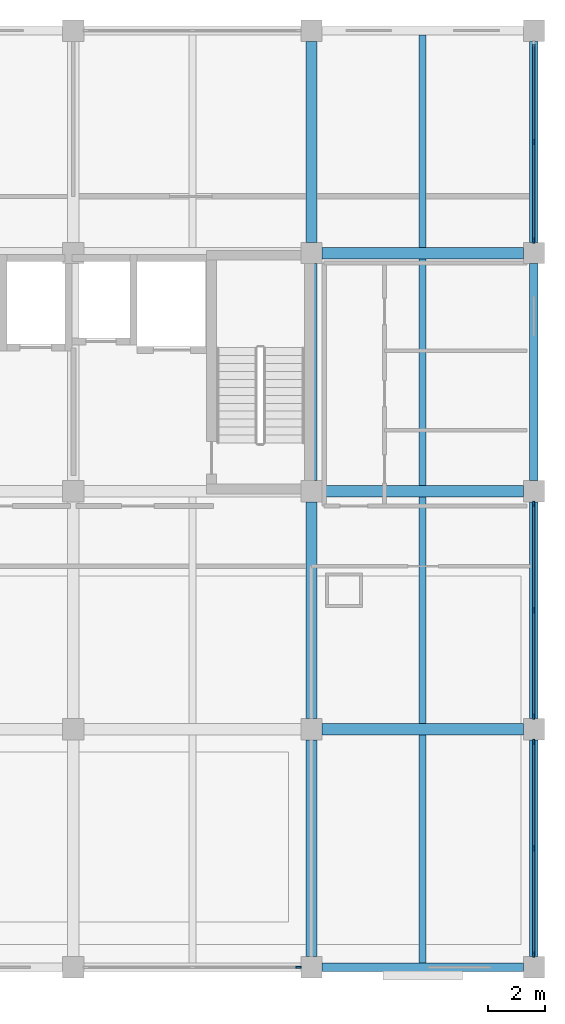
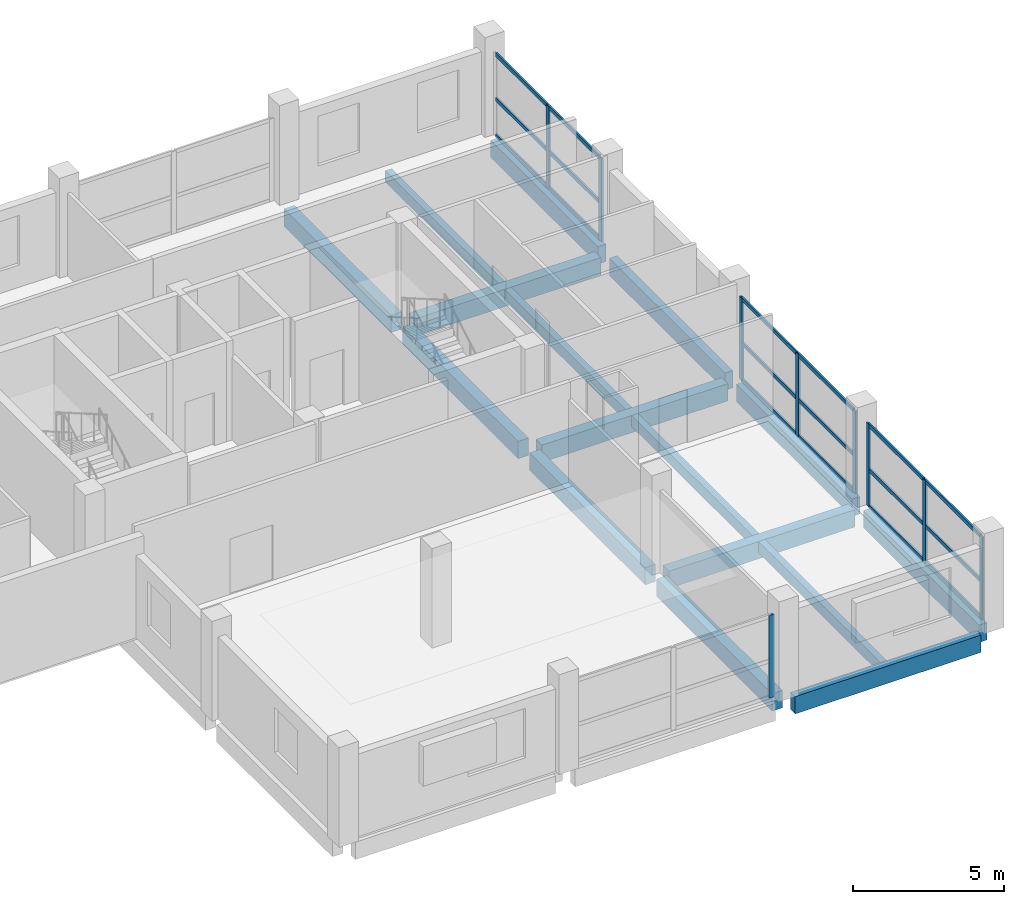
# One storey, part 4 of 9: 27 members, 16 beams, 4 elements without a shape of their own.
"""IFC4 building model written with IfcOpenShell, lengths in metres."""

from ifc_helpers import new_model, si_unit, direction, frame, origin, origin_2d, place, context, subcontext, project, spatial, rectangle, extrude, material, material_profile, profile_set, type_object, element, aggregate, save


model = new_model("IFC4")

# Units and contexts
model_context = context("Model", 3, precision=1e-05, world=origin(), true_north=direction((0.0, 1.0)))
body_context = subcontext(model_context, "Body", "Model", "MODEL_VIEW")
ifc_project = project(units=[si_unit("LENGTHUNIT", "METRE"), si_unit("AREAUNIT", "SQUARE_METRE"), si_unit("VOLUMEUNIT", "CUBIC_METRE"), si_unit("PLANEANGLEUNIT", "RADIAN"), si_unit("MASSUNIT", "GRAM", prefix="KILO")], contexts=[model_context])

# Site, building, storey
site_placement = place(None, origin())
site = spatial("IfcSite", under=ifc_project, at=site_placement, CompositionType="ELEMENT")
building_placement = place(site_placement, origin())
building = spatial("IfcBuilding", under=site, at=building_placement, Name="Brinegate Botanical Conservatory", CompositionType="ELEMENT")
storey_placement = place(building_placement, frame((0.0, 0.0, 48.60009765625)))
storey = spatial("IfcBuildingStorey", under=building, at=storey_placement, Name="L12", CompositionType="ELEMENT", Elevation=48.60009765625)

# Beams
ifc_material_1 = material(Name="Concrete C40/50", Category="concrete")
ifc_material_profile_1 = material_profile(ifc_material_1, rectangle(XDim=0.39990234375, YDim=0.699951171875, at=origin_2d()), Name="RC BM 400x700")
ifc_profile_set_1 = profile_set([ifc_material_profile_1], Name="Concrete C40/50")
beam_type_1 = type_object("IfcBeamType", Name="Beam_BM-T2", PredefinedType="BEAM", material=ifc_profile_set_1)
for number, where, z_axis, x_axis, name in (
    (1, (155.97509765625, 86.800048828125, -0.5400390625), (1.0, 0.0, 0.0), (0.0, 1.0, 0.0), "Beam BM-T2 L12 L:20-21"),
    (2, (155.97509765625, 95.199951171875, -0.5400390625), (1.0, 0.0, 0.0), (0.0, 1.0, 0.0), "Beam BM-T2 L12 M:20-21"),
    (3, (155.97509765625, 103.60009765625, -0.5400390625), (1.0, 0.0, 0.0), (0.0, 1.0, 0.0), "Beam BM-T2 L12 N:20-21"),
):
    element("IfcBeam", number, at=place(storey_placement, frame(where, z_axis=z_axis, x_axis=x_axis)), inside=storey, type_object=beam_type_1, Name=name, PredefinedType="BEAM", context=body_context, shape_type="SweptSolid", body=[
        extrude(rectangle(XDim=0.39990234375, YDim=0.699951171875, at=origin_2d()), origin(), (0.0, 0.0, 1.0), 7.099853515625),
    ])
beam_1_placement = place(storey_placement, frame((155.60009765625, 78.77490234375, -0.5400390625), z_axis=(0.0, 1.0, 0.0), x_axis=(-1.0, 0.0, 0.0)))
element("IfcBeam", 4, at=beam_1_placement, inside=storey, type_object=beam_type_1, Name="Beam BM-T2 L12 20:K-L", PredefinedType="BEAM", context=body_context, shape_type="SweptSolid", body=[
    extrude(rectangle(XDim=0.39990234375, YDim=0.699951171875, at=origin_2d()), origin(), (0.0, 0.0, 1.0), 7.650146484375),
])
beam_2_placement = place(storey_placement, frame((155.60009765625, 87.175048828125, -0.5400390625), z_axis=(0.0, 1.0, 0.0), x_axis=(-1.0, 0.0, 0.0)))
element("IfcBeam", 5, at=beam_2_placement, inside=storey, type_object=beam_type_1, Name="Beam BM-T2 L12 20:L-M", PredefinedType="BEAM", context=body_context, shape_type="SweptSolid", body=[
    extrude(rectangle(XDim=0.39990234375, YDim=0.699951171875, at=origin_2d()), origin(), (0.0, 0.0, 1.0), 7.64990234375),
])
beam_3_placement = place(storey_placement, frame((155.60009765625, 95.574951171875, -0.5400390625), z_axis=(0.0, 1.0, 0.0), x_axis=(-1.0, 0.0, 0.0)))
element("IfcBeam", 6, at=beam_3_placement, inside=storey, type_object=beam_type_1, Name="Beam BM-T2 L12 20:M-N", PredefinedType="BEAM", context=body_context, shape_type="SweptSolid", body=[
    extrude(rectangle(XDim=0.39990234375, YDim=0.699951171875, at=origin_2d()), origin(), (0.0, 0.0, 1.0), 7.650146484375),
])
beam_4_placement = place(storey_placement, frame((155.60009765625, 103.97509765625, -0.5400390625), z_axis=(0.0, 1.0, 0.0), x_axis=(-1.0, 0.0, 0.0)))
element("IfcBeam", 7, at=beam_4_placement, inside=storey, type_object=beam_type_1, Name="Beam BM-T2 L12 20:N-P", PredefinedType="BEAM", context=body_context, shape_type="SweptSolid", body=[
    extrude(rectangle(XDim=0.39990234375, YDim=0.699951171875, at=origin_2d()), origin(), (0.0, 0.0, 1.0), 7.099853515625),
])
ifc_material_profile_2 = material_profile(ifc_material_1, rectangle(XDim=0.25, YDim=0.449951171875, at=origin_2d()), Name="RC JST 250x450")
ifc_profile_set_2 = profile_set([ifc_material_profile_2], Name="Concrete C40/50")
beam_type_2 = type_object("IfcBeamType", Name="Beam_JS-C3", PredefinedType="JOIST", material=ifc_profile_set_2)
beam_5_placement = place(storey_placement, frame((159.52490234375, 78.550048828125, -0.4150390625), z_axis=(0.0, 1.0, 0.0), x_axis=(-1.0, 0.0, 0.0)))
element("IfcBeam", 8, at=beam_5_placement, inside=storey, type_object=beam_type_2, Name="Floor joist JS-C3 L12 bay 20.10", PredefinedType="JOIST", context=body_context, shape_type="SweptSolid", body=[
    extrude(rectangle(XDim=0.25, YDim=0.449951171875, at=origin_2d()), origin(), (0.0, 0.0, 1.0), 8.050048828125),
])
for number, where, z_axis, x_axis, name in (
    (9, (159.52490234375, 87.0, -0.4150390625), (0.0, 1.0, 0.0), (-1.0, 0.0, 0.0), "Floor joist JS-C3 L12 bay 20.11"),
    (10, (159.52490234375, 95.39990234375, -0.4150390625), (0.0, 1.0, 0.0), (-1.0, 0.0, 0.0), "Floor joist JS-C3 L12 bay 20.12"),
):
    element("IfcBeam", number, at=place(storey_placement, frame(where, z_axis=z_axis, x_axis=x_axis)), inside=storey, type_object=beam_type_2, Name=name, PredefinedType="JOIST", context=body_context, shape_type="SweptSolid", body=[
        extrude(rectangle(XDim=0.25, YDim=0.449951171875, at=origin_2d()), origin(), (0.0, 0.0, 1.0), 8.0),
    ])
beam_6_placement = place(storey_placement, frame((159.52490234375, 103.800048828125, -0.4150390625), z_axis=(0.0, 1.0, 0.0), x_axis=(-1.0, 0.0, 0.0)))
element("IfcBeam", 11, at=beam_6_placement, inside=storey, type_object=beam_type_2, Name="Floor joist JS-C3 L12 bay 20.13", PredefinedType="JOIST", context=body_context, shape_type="SweptSolid", body=[
    extrude(rectangle(XDim=0.25, YDim=0.449951171875, at=origin_2d()), origin(), (0.0, 0.0, 1.0), 7.5),
])
ifc_material_profile_3 = material_profile(ifc_material_1, rectangle(XDim=0.300048828125, YDim=0.699951171875, at=origin_2d()), Name="RC SPN 300x700")
ifc_profile_set_3 = profile_set([ifc_material_profile_3], Name="Concrete C40/50")
beam_type_3 = type_object("IfcBeamType", Name="Beam_SP-02", PredefinedType="SPANDREL", material=ifc_profile_set_3)
beam_7_placement = place(storey_placement, frame((155.97509765625, 78.39990234375, -0.5400390625), z_axis=(1.0, 0.0, 0.0), x_axis=(0.0, 1.0, 0.0)))
element("IfcBeam", 12, at=beam_7_placement, inside=storey, type_object=beam_type_3, Name="Beam SP-02 L12 K:20-21", PredefinedType="SPANDREL", context=body_context, shape_type="SweptSolid", body=[
    extrude(rectangle(XDim=0.300048828125, YDim=0.699951171875, at=origin_2d()), origin(), (0.0, 0.0, 1.0), 7.099853515625),
])
beam_8_placement = place(storey_placement, frame((163.449951171875, 78.77490234375, -0.5400390625), z_axis=(0.0, 1.0, 0.0), x_axis=(-1.0, 0.0, 0.0)))
element("IfcBeam", 13, at=beam_8_placement, inside=storey, type_object=beam_type_3, Name="Beam SP-02 L12 21:K-L", PredefinedType="SPANDREL", context=body_context, shape_type="SweptSolid", body=[
    extrude(rectangle(XDim=0.300048828125, YDim=0.699951171875, at=origin_2d()), origin(), (0.0, 0.0, 1.0), 7.650146484375),
])
beam_9_placement = place(storey_placement, frame((163.449951171875, 87.175048828125, -0.5400390625), z_axis=(0.0, 1.0, 0.0), x_axis=(-1.0, 0.0, 0.0)))
element("IfcBeam", 14, at=beam_9_placement, inside=storey, type_object=beam_type_3, Name="Beam SP-02 L12 21:L-M", PredefinedType="SPANDREL", context=body_context, shape_type="SweptSolid", body=[
    extrude(rectangle(XDim=0.300048828125, YDim=0.699951171875, at=origin_2d()), origin(), (0.0, 0.0, 1.0), 7.64990234375),
])
beam_10_placement = place(storey_placement, frame((163.449951171875, 95.574951171875, -0.5400390625), z_axis=(0.0, 1.0, 0.0), x_axis=(-1.0, 0.0, 0.0)))
element("IfcBeam", 15, at=beam_10_placement, inside=storey, type_object=beam_type_3, Name="Beam SP-02 L12 21:M-N", PredefinedType="SPANDREL", context=body_context, shape_type="SweptSolid", body=[
    extrude(rectangle(XDim=0.300048828125, YDim=0.699951171875, at=origin_2d()), origin(), (0.0, 0.0, 1.0), 7.650146484375),
])
beam_11_placement = place(storey_placement, frame((163.449951171875, 103.97509765625, -0.5400390625), z_axis=(0.0, 1.0, 0.0), x_axis=(-1.0, 0.0, 0.0)))
element("IfcBeam", 16, at=beam_11_placement, inside=storey, type_object=beam_type_3, Name="Beam SP-02 L12 21:N-P", PredefinedType="SPANDREL", context=body_context, shape_type="SweptSolid", body=[
    extrude(rectangle(XDim=0.300048828125, YDim=0.699951171875, at=origin_2d()), origin(), (0.0, 0.0, 1.0), 7.099853515625),
])

# Curtain wall, member
ifc_material_2 = material(Name="Thermally broken anodised aluminium AW-6063-T6", Category="aluminium")
curtain_wall_type = type_object("IfcCurtainWallType", Name="CW_CW-TW1", PredefinedType="USERDEFINED", material=ifc_material_2)
curtain_wall_1_placement = place(storey_placement, origin())
curtain_wall_1 = element("IfcCurtainWall", 17, at=curtain_wall_1_placement, inside=storey, type_object=curtain_wall_type, Name="Tower south curtain wall L12.2", ObjectType="FACTORY CURTAIN WALL", PredefinedType="USERDEFINED")
ifc_material_profile_4 = material_profile(ifc_material_2, rectangle(XDim=0.070068359375, YDim=0.199951171875, at=origin_2d()), Name="ALUM MULLION 70x200")
ifc_profile_set_4 = profile_set([ifc_material_profile_4], Name="Thermally broken anodised aluminium AW-6063-T6")
member_type_1 = type_object("IfcMemberType", Name="Member_ML-03", PredefinedType="MULLION", material=ifc_profile_set_4)
member_1_placement = place(storey_placement, frame((155.14990234375, 78.39990234375, 0.0), z_axis=(0.0, 0.0, 1.0), x_axis=(0.0, -1.0, 0.0)))
member_1 = element("IfcMember", 18, at=member_1_placement, type_object=member_type_1, Name="CW-TW1 mullion 1", PredefinedType="MULLION", context=body_context, shape_type="SweptSolid", body=[
    extrude(rectangle(XDim=0.070068359375, YDim=0.199951171875, at=origin_2d()), origin(), (0.0, 0.0, 1.0), 3.329833984375),
])
aggregate(curtain_wall_1, [member_1])

# Curtain wall, members
curtain_wall_2_placement = place(storey_placement, origin())
curtain_wall_2 = element("IfcCurtainWall", 19, at=curtain_wall_2_placement, inside=storey, type_object=curtain_wall_type, Name="Tower east curtain wall L12.1", ObjectType="FACTORY CURTAIN WALL", PredefinedType="USERDEFINED")
member_2_placement = place(storey_placement, frame((163.449951171875, 86.35009765625, 0.0), z_axis=(0.0, 0.0, 1.0), x_axis=(1.0, 0.0, 0.0)))
member_2 = element("IfcMember", 20, at=member_2_placement, type_object=member_type_1, Name="CW-TW1 mullion 1", PredefinedType="MULLION", context=body_context, shape_type="SweptSolid", body=[
    extrude(rectangle(XDim=0.070068359375, YDim=0.199951171875, at=origin_2d()), origin(), (0.0, 0.0, 1.0), 3.329833984375),
])
member_3_placement = place(storey_placement, frame((163.449951171875, 82.60009765625, 0.0), z_axis=(0.0, 0.0, 1.0), x_axis=(1.0, 0.0, 0.0)))
member_3 = element("IfcMember", 21, at=member_3_placement, type_object=member_type_1, Name="CW-TW1 mullion 2", PredefinedType="MULLION", context=body_context, shape_type="SweptSolid", body=[
    extrude(rectangle(XDim=0.070068359375, YDim=0.199951171875, at=origin_2d()), origin(), (0.0, 0.0, 1.0), 3.329833984375),
])
member_4_placement = place(storey_placement, frame((163.449951171875, 78.85009765625, 0.0), z_axis=(0.0, 0.0, 1.0), x_axis=(1.0, 0.0, 0.0)))
member_4 = element("IfcMember", 22, at=member_4_placement, type_object=member_type_1, Name="CW-TW1 mullion 3", PredefinedType="MULLION", context=body_context, shape_type="SweptSolid", body=[
    extrude(rectangle(XDim=0.070068359375, YDim=0.199951171875, at=origin_2d()), origin(), (0.0, 0.0, 1.0), 3.329833984375),
])

curtain_wall_3_placement = place(storey_placement, origin())
curtain_wall_3 = element("IfcCurtainWall", 23, at=curtain_wall_3_placement, inside=storey, type_object=curtain_wall_type, Name="Tower east curtain wall L12.2", ObjectType="FACTORY CURTAIN WALL", PredefinedType="USERDEFINED")
member_5_placement = place(storey_placement, frame((163.449951171875, 94.75, 0.0), z_axis=(0.0, 0.0, 1.0), x_axis=(1.0, 0.0, 0.0)))
member_5 = element("IfcMember", 24, at=member_5_placement, type_object=member_type_1, Name="CW-TW1 mullion 1", PredefinedType="MULLION", context=body_context, shape_type="SweptSolid", body=[
    extrude(rectangle(XDim=0.070068359375, YDim=0.199951171875, at=origin_2d()), origin(), (0.0, 0.0, 1.0), 3.329833984375),
])
member_6_placement = place(storey_placement, frame((163.449951171875, 91.0, 0.0), z_axis=(0.0, 0.0, 1.0), x_axis=(1.0, 0.0, 0.0)))
member_6 = element("IfcMember", 25, at=member_6_placement, type_object=member_type_1, Name="CW-TW1 mullion 2", PredefinedType="MULLION", context=body_context, shape_type="SweptSolid", body=[
    extrude(rectangle(XDim=0.070068359375, YDim=0.199951171875, at=origin_2d()), origin(), (0.0, 0.0, 1.0), 3.329833984375),
])
member_7_placement = place(storey_placement, frame((163.449951171875, 87.25, 0.0), z_axis=(0.0, 0.0, 1.0), x_axis=(1.0, 0.0, 0.0)))
member_7 = element("IfcMember", 26, at=member_7_placement, type_object=member_type_1, Name="CW-TW1 mullion 3", PredefinedType="MULLION", context=body_context, shape_type="SweptSolid", body=[
    extrude(rectangle(XDim=0.070068359375, YDim=0.199951171875, at=origin_2d()), origin(), (0.0, 0.0, 1.0), 3.329833984375),
])

curtain_wall_4_placement = place(storey_placement, origin())
curtain_wall_4 = element("IfcCurtainWall", 27, at=curtain_wall_4_placement, inside=storey, type_object=curtain_wall_type, Name="Tower east curtain wall L12.4", ObjectType="FACTORY CURTAIN WALL", PredefinedType="USERDEFINED")
member_8_placement = place(storey_placement, frame((163.449951171875, 107.52490234375, 0.0), z_axis=(0.0, 0.0, 1.0), x_axis=(1.0, 0.0, 0.0)))
member_8 = element("IfcMember", 28, at=member_8_placement, type_object=member_type_1, Name="CW-TW1 mullion 2", PredefinedType="MULLION", context=body_context, shape_type="SweptSolid", body=[
    extrude(rectangle(XDim=0.070068359375, YDim=0.199951171875, at=origin_2d()), origin(), (0.0, 0.0, 1.0), 3.329833984375),
])
member_9_placement = place(storey_placement, frame((163.449951171875, 104.050048828125, 0.0), z_axis=(0.0, 0.0, 1.0), x_axis=(1.0, 0.0, 0.0)))
member_9 = element("IfcMember", 29, at=member_9_placement, type_object=member_type_1, Name="CW-TW1 mullion 3", PredefinedType="MULLION", context=body_context, shape_type="SweptSolid", body=[
    extrude(rectangle(XDim=0.070068359375, YDim=0.199951171875, at=origin_2d()), origin(), (0.0, 0.0, 1.0), 3.329833984375),
])

# Member
ifc_material_profile_5 = material_profile(ifc_material_2, rectangle(XDim=0.070068359375, YDim=0.14990234375, at=origin_2d()), Name="ALUM TRANSOM 70x150")
ifc_profile_set_5 = profile_set([ifc_material_profile_5], Name="Thermally broken anodised aluminium AW-6063-T6")
member_type_2 = type_object("IfcMemberType", Name="Member_TR-03", PredefinedType="USERDEFINED", material=ifc_profile_set_5)
member_10_placement = place(storey_placement, frame((163.449951171875, 86.31494140625, 0.034912109375), z_axis=(0.0, -1.0, 0.0), x_axis=(1.0, 0.0, 0.0)))
member_10 = element("IfcMember", 30, at=member_10_placement, type_object=member_type_2, Name="CW-TW1 transom 1.1", ObjectType="TRANSOM", PredefinedType="USERDEFINED", context=body_context, shape_type="SweptSolid", body=[
    extrude(rectangle(XDim=0.070068359375, YDim=0.14990234375, at=origin_2d()), origin(), (0.0, 0.0, 1.0), 3.679931640625),
])

member_11_placement = place(storey_placement, frame((163.449951171875, 86.31494140625, 1.4990234375), z_axis=(0.0, -1.0, 0.0), x_axis=(1.0, 0.0, 0.0)))
member_11 = element("IfcMember", 31, at=member_11_placement, type_object=member_type_2, Name="CW-TW1 transom 1.2", ObjectType="TRANSOM", PredefinedType="USERDEFINED", context=body_context, shape_type="SweptSolid", body=[
    extrude(rectangle(XDim=0.070068359375, YDim=0.14990234375, at=origin_2d()), origin(), (0.0, 0.0, 1.0), 3.679931640625),
])

member_12_placement = place(storey_placement, frame((163.449951171875, 86.31494140625, 3.294921875), z_axis=(0.0, -1.0, 0.0), x_axis=(1.0, 0.0, 0.0)))
member_12 = element("IfcMember", 32, at=member_12_placement, type_object=member_type_2, Name="CW-TW1 transom 1.3", ObjectType="TRANSOM", PredefinedType="USERDEFINED", context=body_context, shape_type="SweptSolid", body=[
    extrude(rectangle(XDim=0.070068359375, YDim=0.14990234375, at=origin_2d()), origin(), (0.0, 0.0, 1.0), 3.679931640625),
])

member_13_placement = place(storey_placement, frame((163.449951171875, 82.56494140625, 0.034912109375), z_axis=(0.0, -1.0, 0.0), x_axis=(1.0, 0.0, 0.0)))
member_13 = element("IfcMember", 33, at=member_13_placement, type_object=member_type_2, Name="CW-TW1 transom 2.1", ObjectType="TRANSOM", PredefinedType="USERDEFINED", context=body_context, shape_type="SweptSolid", body=[
    extrude(rectangle(XDim=0.070068359375, YDim=0.14990234375, at=origin_2d()), origin(), (0.0, 0.0, 1.0), 3.679931640625),
])

member_14_placement = place(storey_placement, frame((163.449951171875, 82.56494140625, 1.4990234375), z_axis=(0.0, -1.0, 0.0), x_axis=(1.0, 0.0, 0.0)))
member_14 = element("IfcMember", 34, at=member_14_placement, type_object=member_type_2, Name="CW-TW1 transom 2.2", ObjectType="TRANSOM", PredefinedType="USERDEFINED", context=body_context, shape_type="SweptSolid", body=[
    extrude(rectangle(XDim=0.070068359375, YDim=0.14990234375, at=origin_2d()), origin(), (0.0, 0.0, 1.0), 3.679931640625),
])

member_15_placement = place(storey_placement, frame((163.449951171875, 82.56494140625, 3.294921875), z_axis=(0.0, -1.0, 0.0), x_axis=(1.0, 0.0, 0.0)))
member_15 = element("IfcMember", 35, at=member_15_placement, type_object=member_type_2, Name="CW-TW1 transom 2.3", ObjectType="TRANSOM", PredefinedType="USERDEFINED", context=body_context, shape_type="SweptSolid", body=[
    extrude(rectangle(XDim=0.070068359375, YDim=0.14990234375, at=origin_2d()), origin(), (0.0, 0.0, 1.0), 3.679931640625),
])

aggregate(curtain_wall_2, [member_2, member_3, member_4, member_10, member_11, member_12, member_13, member_14, member_15])

member_16_placement = place(storey_placement, frame((163.449951171875, 94.715087890625, 0.034912109375), z_axis=(0.0, -1.0, 0.0), x_axis=(1.0, 0.0, 0.0)))
member_16 = element("IfcMember", 36, at=member_16_placement, type_object=member_type_2, Name="CW-TW1 transom 1.1", ObjectType="TRANSOM", PredefinedType="USERDEFINED", context=body_context, shape_type="SweptSolid", body=[
    extrude(rectangle(XDim=0.070068359375, YDim=0.14990234375, at=origin_2d()), origin(), (0.0, 0.0, 1.0), 3.68017578125),
])

member_17_placement = place(storey_placement, frame((163.449951171875, 94.715087890625, 1.4990234375), z_axis=(0.0, -1.0, 0.0), x_axis=(1.0, 0.0, 0.0)))
member_17 = element("IfcMember", 37, at=member_17_placement, type_object=member_type_2, Name="CW-TW1 transom 1.2", ObjectType="TRANSOM", PredefinedType="USERDEFINED", context=body_context, shape_type="SweptSolid", body=[
    extrude(rectangle(XDim=0.070068359375, YDim=0.14990234375, at=origin_2d()), origin(), (0.0, 0.0, 1.0), 3.68017578125),
])

member_18_placement = place(storey_placement, frame((163.449951171875, 94.715087890625, 3.294921875), z_axis=(0.0, -1.0, 0.0), x_axis=(1.0, 0.0, 0.0)))
member_18 = element("IfcMember", 38, at=member_18_placement, type_object=member_type_2, Name="CW-TW1 transom 1.3", ObjectType="TRANSOM", PredefinedType="USERDEFINED", context=body_context, shape_type="SweptSolid", body=[
    extrude(rectangle(XDim=0.070068359375, YDim=0.14990234375, at=origin_2d()), origin(), (0.0, 0.0, 1.0), 3.68017578125),
])

member_19_placement = place(storey_placement, frame((163.449951171875, 90.965087890625, 0.034912109375), z_axis=(0.0, -1.0, 0.0), x_axis=(1.0, 0.0, 0.0)))
member_19 = element("IfcMember", 39, at=member_19_placement, type_object=member_type_2, Name="CW-TW1 transom 2.1", ObjectType="TRANSOM", PredefinedType="USERDEFINED", context=body_context, shape_type="SweptSolid", body=[
    extrude(rectangle(XDim=0.070068359375, YDim=0.14990234375, at=origin_2d()), origin(), (0.0, 0.0, 1.0), 3.68017578125),
])

member_20_placement = place(storey_placement, frame((163.449951171875, 90.965087890625, 1.4990234375), z_axis=(0.0, -1.0, 0.0), x_axis=(1.0, 0.0, 0.0)))
member_20 = element("IfcMember", 40, at=member_20_placement, type_object=member_type_2, Name="CW-TW1 transom 2.2", ObjectType="TRANSOM", PredefinedType="USERDEFINED", context=body_context, shape_type="SweptSolid", body=[
    extrude(rectangle(XDim=0.070068359375, YDim=0.14990234375, at=origin_2d()), origin(), (0.0, 0.0, 1.0), 3.68017578125),
])

member_21_placement = place(storey_placement, frame((163.449951171875, 90.965087890625, 3.294921875), z_axis=(0.0, -1.0, 0.0), x_axis=(1.0, 0.0, 0.0)))
member_21 = element("IfcMember", 41, at=member_21_placement, type_object=member_type_2, Name="CW-TW1 transom 2.3", ObjectType="TRANSOM", PredefinedType="USERDEFINED", context=body_context, shape_type="SweptSolid", body=[
    extrude(rectangle(XDim=0.070068359375, YDim=0.14990234375, at=origin_2d()), origin(), (0.0, 0.0, 1.0), 3.68017578125),
])

aggregate(curtain_wall_3, [member_5, member_6, member_7, member_16, member_17, member_18, member_19, member_20, member_21])

member_22_placement = place(storey_placement, frame((163.449951171875, 110.965087890625, 0.034912109375), z_axis=(0.0, -1.0, 0.0), x_axis=(1.0, 0.0, 0.0)))
member_22 = element("IfcMember", 42, at=member_22_placement, type_object=member_type_2, Name="CW-TW1 transom 1.1", ObjectType="TRANSOM", PredefinedType="USERDEFINED", context=body_context, shape_type="SweptSolid", body=[
    extrude(rectangle(XDim=0.070068359375, YDim=0.14990234375, at=origin_2d()), origin(), (0.0, 0.0, 1.0), 3.405029296875),
])

member_23_placement = place(storey_placement, frame((163.449951171875, 110.965087890625, 1.4990234375), z_axis=(0.0, -1.0, 0.0), x_axis=(1.0, 0.0, 0.0)))
member_23 = element("IfcMember", 43, at=member_23_placement, type_object=member_type_2, Name="CW-TW1 transom 1.2", ObjectType="TRANSOM", PredefinedType="USERDEFINED", context=body_context, shape_type="SweptSolid", body=[
    extrude(rectangle(XDim=0.070068359375, YDim=0.14990234375, at=origin_2d()), origin(), (0.0, 0.0, 1.0), 3.405029296875),
])

member_24_placement = place(storey_placement, frame((163.449951171875, 110.965087890625, 3.294921875), z_axis=(0.0, -1.0, 0.0), x_axis=(1.0, 0.0, 0.0)))
member_24 = element("IfcMember", 44, at=member_24_placement, type_object=member_type_2, Name="CW-TW1 transom 1.3", ObjectType="TRANSOM", PredefinedType="USERDEFINED", context=body_context, shape_type="SweptSolid", body=[
    extrude(rectangle(XDim=0.070068359375, YDim=0.14990234375, at=origin_2d()), origin(), (0.0, 0.0, 1.0), 3.405029296875),
])

member_25_placement = place(storey_placement, frame((163.449951171875, 107.489990234375, 0.034912109375), z_axis=(0.0, -1.0, 0.0), x_axis=(1.0, 0.0, 0.0)))
member_25 = element("IfcMember", 45, at=member_25_placement, type_object=member_type_2, Name="CW-TW1 transom 2.1", ObjectType="TRANSOM", PredefinedType="USERDEFINED", context=body_context, shape_type="SweptSolid", body=[
    extrude(rectangle(XDim=0.070068359375, YDim=0.14990234375, at=origin_2d()), origin(), (0.0, 0.0, 1.0), 3.405029296875),
])

member_26_placement = place(storey_placement, frame((163.449951171875, 107.489990234375, 1.4990234375), z_axis=(0.0, -1.0, 0.0), x_axis=(1.0, 0.0, 0.0)))
member_26 = element("IfcMember", 46, at=member_26_placement, type_object=member_type_2, Name="CW-TW1 transom 2.2", ObjectType="TRANSOM", PredefinedType="USERDEFINED", context=body_context, shape_type="SweptSolid", body=[
    extrude(rectangle(XDim=0.070068359375, YDim=0.14990234375, at=origin_2d()), origin(), (0.0, 0.0, 1.0), 3.405029296875),
])

member_27_placement = place(storey_placement, frame((163.449951171875, 107.489990234375, 3.294921875), z_axis=(0.0, -1.0, 0.0), x_axis=(1.0, 0.0, 0.0)))
member_27 = element("IfcMember", 47, at=member_27_placement, type_object=member_type_2, Name="CW-TW1 transom 2.3", ObjectType="TRANSOM", PredefinedType="USERDEFINED", context=body_context, shape_type="SweptSolid", body=[
    extrude(rectangle(XDim=0.070068359375, YDim=0.14990234375, at=origin_2d()), origin(), (0.0, 0.0, 1.0), 3.405029296875),
])

aggregate(curtain_wall_4, [member_8, member_9, member_22, member_23, member_24, member_25, member_26, member_27])

save(model, "model.ifc")
